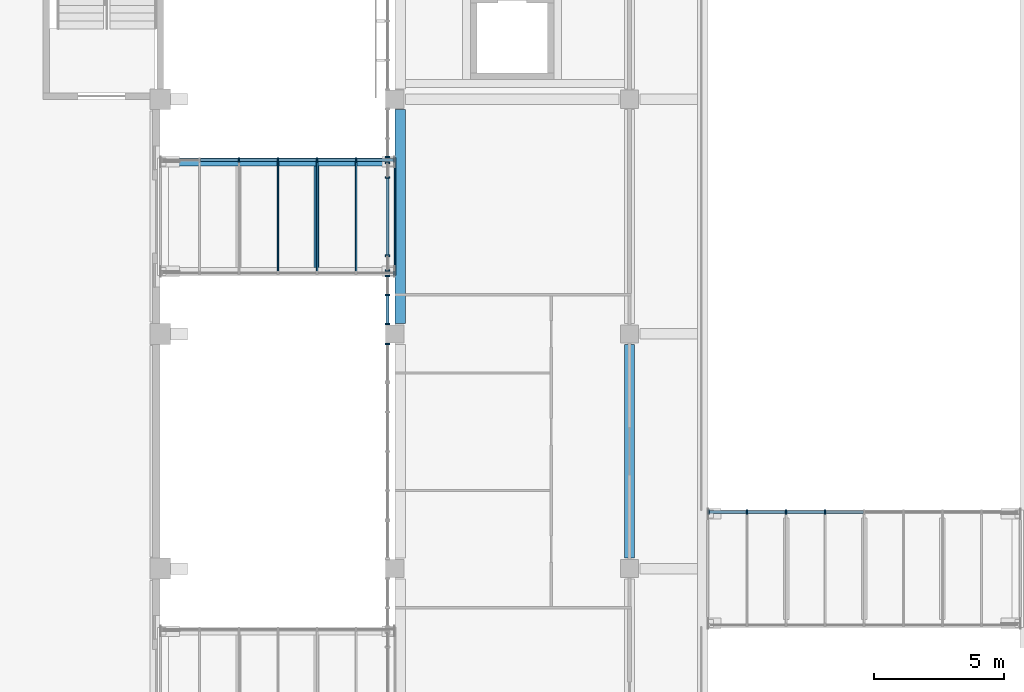
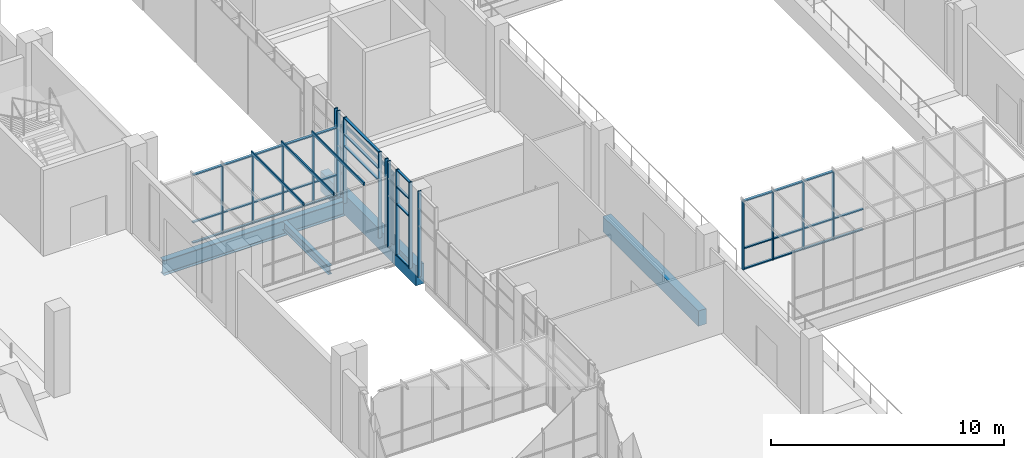
# One storey, part 17 of 106: 56 members, 4 beams, 8 elements without a shape of their own.
"""IFC4 building model written with IfcOpenShell, lengths in metres."""

from ifc_helpers import new_model, si_unit, direction, frame, origin, origin_2d, place, context, subcontext, project, spatial, rectangle, i_section, extrude, material, layer, layer_set, material_profile, profile_set, type_object, element, aggregate, save


model = new_model("IFC4")

# Units and contexts
model_context = context("Model", 3, precision=1e-05, world=origin(), true_north=direction((0.0, 1.0)))
body_context = subcontext(model_context, "Body", "Model", "MODEL_VIEW")
ifc_project = project(units=[si_unit("LENGTHUNIT", "METRE"), si_unit("AREAUNIT", "SQUARE_METRE"), si_unit("VOLUMEUNIT", "CUBIC_METRE"), si_unit("PLANEANGLEUNIT", "RADIAN"), si_unit("MASSUNIT", "GRAM", prefix="KILO")], contexts=[model_context])

# Site, building, storey
site_placement = place(None, origin())
site = spatial("IfcSite", under=ifc_project, at=site_placement, CompositionType="ELEMENT")
building_placement = place(site_placement, origin())
building = spatial("IfcBuilding", under=site, at=building_placement, Name="Guidao Yard Department Store", CompositionType="ELEMENT")
storey_placement = place(building_placement, frame((0.0, 0.0, 10.5)))
storey = spatial("IfcBuildingStorey", under=building, at=storey_placement, Name="L02", CompositionType="ELEMENT", Elevation=10.5)

# Beams
ifc_material_1 = material(Name="Concrete C40", Category="concrete")
ifc_material_profile_1 = material_profile(ifc_material_1, rectangle(XDim=0.39990234375, YDim=1.050048828125, at=origin_2d()), Name="Bridge landing beam 400 x 1050 C40")
ifc_profile_set_1 = profile_set([ifc_material_profile_1], Name="Concrete C40")
beam_type_1 = type_object("IfcBeamType", Name="Bridge landing beam 400 x 1050 C40", PredefinedType="BEAM", material=ifc_profile_set_1)
beam_1_placement = place(storey_placement, frame((72.199951171875, 72.39990234375, -0.52490234375), z_axis=(0.0, 1.0, 0.0), x_axis=(-1.0, 0.0, 0.0)))
element("IfcBeam", 1, at=beam_1_placement, inside=storey, type_object=beam_type_1, Name="Beam LB04", PredefinedType="BEAM", context=body_context, shape_type="SweptSolid", body=[
    extrude(rectangle(XDim=0.39990234375, YDim=1.050048828125, at=origin_2d()), origin(), (0.0, 0.0, 1.0), 8.2001953125),
])
ifc_material_2 = material(Name="Concrete C40", Category="concrete")
ifc_material_profile_2 = material_profile(ifc_material_2, rectangle(XDim=0.39990234375, YDim=0.800048828125, at=origin_2d()), Name="Edge beam 400 x 800 C40")
ifc_profile_set_2 = profile_set([ifc_material_profile_2], Name="Concrete C40")
beam_type_2 = type_object("IfcBeamType", Name="Edge beam 400 x 800 C40", PredefinedType="BEAM", material=ifc_profile_set_2)
beam_2_placement = place(storey_placement, frame((81.0, 63.39990234375, -0.39990234375), z_axis=(0.0, 1.0, 0.0), x_axis=(-1.0, 0.0, 0.0)))
element("IfcBeam", 2, at=beam_2_placement, inside=storey, type_object=beam_type_2, Name="Beam EB34", PredefinedType="BEAM", context=body_context, shape_type="SweptSolid", body=[
    extrude(rectangle(XDim=0.39990234375, YDim=0.800048828125, at=origin_2d()), origin(), (0.0, 0.0, 1.0), 8.2001953125),
])
ifc_material_3 = material(Name="Steel Q355B", Category="steel")
ifc_material_profile_3 = material_profile(ifc_material_3, i_section(OverallWidth=0.199951171875, OverallDepth=0.449951171875, WebThickness=0.009033203125, FlangeThickness=0.013916015625, FilletRadius=0.012939453125, at=origin_2d()), Name="HN 450x200x9x14")
ifc_profile_set_3 = profile_set([ifc_material_profile_3], Name="Steel Q355B")
beam_type_3 = type_object("IfcBeamType", Name="HN 450x200x9x14", PredefinedType="BEAM", material=ifc_profile_set_3)
beam_3_placement = place(storey_placement, frame((68.9951171875, 74.550048828125, -0.47509765625), z_axis=(0.0, 1.0, 0.0), x_axis=(-1.0, 0.0, 0.0)))
element("IfcBeam", 3, at=beam_3_placement, inside=storey, type_object=beam_type_3, Name="Bridge cross beam BR04-2", PredefinedType="BEAM", context=body_context, shape_type="SweptSolid", body=[
    extrude(i_section(OverallWidth=0.199951171875, OverallDepth=0.449951171875, WebThickness=0.009033203125, FlangeThickness=0.013916015625, FilletRadius=0.012939453125, at=origin_2d()), origin(), (0.0, 0.0, 1.0), 3.89990234375),
])
ifc_material_4 = material(Name="Steel Q355B", Category="steel")
ifc_material_profile_4 = material_profile(ifc_material_4, i_section(OverallWidth=0.300048828125, OverallDepth=0.800048828125, WebThickness=0.013916015625, FlangeThickness=0.02587890625, FilletRadius=0.01806640625, at=origin_2d()), Name="HN 800x300x14x26")
ifc_profile_set_4 = profile_set([ifc_material_profile_4], Name="Steel Q355B")
beam_type_4 = type_object("IfcBeamType", Name="HN 800x300x14x26", PredefinedType="BEAM", material=ifc_profile_set_4)
beam_4_placement = place(storey_placement, frame((63.014892578125, 78.60009765625, -0.64990234375), z_axis=(1.0, 0.0, 0.0), x_axis=(0.0, 1.0, 0.0)))
element("IfcBeam", 4, at=beam_4_placement, inside=storey, type_object=beam_type_4, Name="Bridge girder BR04N", PredefinedType="BEAM", context=body_context, shape_type="SweptSolid", body=[
    extrude(i_section(OverallWidth=0.300048828125, OverallDepth=0.800048828125, WebThickness=0.013916015625, FlangeThickness=0.02587890625, FilletRadius=0.01806640625, at=origin_2d()), origin(), (0.0, 0.0, 1.0), 8.97021484375),
])

# Curtain wall, member
ifc_material_5 = material(Name="Aluminium and glass", Category="aluminium")
ifc_layer_1 = layer(ifc_material_5, 0.159912109375)
ifc_layer_set_1 = layer_set([ifc_layer_1], Name="Shopfront curtain wall CW1 1500 module")
curtain_wall_type_1 = type_object("IfcCurtainWallType", Name="Shopfront curtain wall CW1 1500 module", PredefinedType="NOTDEFINED", material=ifc_layer_set_1)
curtain_wall_1_placement = place(storey_placement, origin())
curtain_wall_1 = element("IfcCurtainWall", 5, at=curtain_wall_1_placement, inside=storey, type_object=curtain_wall_type_1, Name="Arcade shop front", PredefinedType="NOTDEFINED")
ifc_material_6 = material(Name="Aluminium 6063-T5", Category="aluminium")
ifc_material_profile_5 = material_profile(ifc_material_6, rectangle(XDim=0.06005859375, YDim=0.159912109375, at=origin_2d()), Name="Mullion M1 60 x 160 aluminium pressure plate")
ifc_profile_set_5 = profile_set([ifc_material_profile_5], Name="Aluminium 6063-T5")
member_type_1 = type_object("IfcMemberType", Name="Mullion M1 60 x 160 aluminium pressure plate", PredefinedType="MULLION", material=ifc_profile_set_5)
member_1_placement = place(storey_placement, frame((71.719970703125, 71.6201171875, 0.0), z_axis=(0.0, 0.0, 1.0), x_axis=(0.0, 1.0, 0.0)))
member_1 = element("IfcMember", 6, at=member_1_placement, type_object=member_type_1, Name="CW-AS-L02-07 mullion 2", PredefinedType="MULLION", context=body_context, shape_type="SweptSolid", body=[
    extrude(rectangle(XDim=0.06005859375, YDim=0.159912109375, at=origin_2d()), origin(), (0.0, 0.0, 1.0), 4.5),
])
aggregate(curtain_wall_1, [member_1])

# Curtain wall, members
curtain_wall_2_placement = place(storey_placement, origin())
curtain_wall_2 = element("IfcCurtainWall", 7, at=curtain_wall_2_placement, inside=storey, type_object=curtain_wall_type_1, Name="Arcade shop front", PredefinedType="NOTDEFINED")
member_2_placement = place(storey_placement, frame((71.719970703125, 72.3798828125, 0.0), z_axis=(0.0, 0.0, 1.0), x_axis=(0.0, 1.0, 0.0)))
member_2 = element("IfcMember", 8, at=member_2_placement, type_object=member_type_1, Name="CW-AS-L02-08 mullion 1", PredefinedType="MULLION", context=body_context, shape_type="SweptSolid", body=[
    extrude(rectangle(XDim=0.06005859375, YDim=0.159912109375, at=origin_2d()), origin(), (0.0, 0.0, 1.0), 4.5),
])
member_3_placement = place(storey_placement, frame((71.719970703125, 73.5, 0.0), z_axis=(0.0, 0.0, 1.0), x_axis=(0.0, 1.0, 0.0)))
member_3 = element("IfcMember", 9, at=member_3_placement, type_object=member_type_1, Name="CW-AS-L02-08 mullion 2", PredefinedType="MULLION", context=body_context, shape_type="SweptSolid", body=[
    extrude(rectangle(XDim=0.06005859375, YDim=0.159912109375, at=origin_2d()), origin(), (0.0, 0.0, 1.0), 4.5),
])
member_4_placement = place(storey_placement, frame((71.719970703125, 74.219970703125, 0.0), z_axis=(0.0, 0.0, 1.0), x_axis=(0.0, 1.0, 0.0)))
member_4 = element("IfcMember", 10, at=member_4_placement, type_object=member_type_1, Name="CW-AS-L02-08 mullion 3", PredefinedType="MULLION", context=body_context, shape_type="SweptSolid", body=[
    extrude(rectangle(XDim=0.06005859375, YDim=0.159912109375, at=origin_2d()), origin(), (0.0, 0.0, 1.0), 4.5),
])

curtain_wall_3_placement = place(storey_placement, origin())
curtain_wall_3 = element("IfcCurtainWall", 11, at=curtain_wall_3_placement, inside=storey, type_object=curtain_wall_type_1, Name="Arcade shop front", PredefinedType="NOTDEFINED")
member_5_placement = place(storey_placement, frame((71.719970703125, 74.43994140625, 0.0), z_axis=(0.0, 0.0, 1.0), x_axis=(0.0, 1.0, 0.0)))
member_5 = element("IfcMember", 12, at=member_5_placement, type_object=member_type_1, Name="CW-AS-L02-09 mullion 1", PredefinedType="MULLION", context=body_context, shape_type="SweptSolid", body=[
    extrude(rectangle(XDim=0.06005859375, YDim=0.159912109375, at=origin_2d()), origin(), (0.0, 0.0, 1.0), 4.5),
])
member_6_placement = place(storey_placement, frame((71.719970703125, 75.0, 0.0), z_axis=(0.0, 0.0, 1.0), x_axis=(0.0, 1.0, 0.0)))
member_6 = element("IfcMember", 13, at=member_6_placement, type_object=member_type_1, Name="CW-AS-L02-09 mullion 2", PredefinedType="MULLION", context=body_context, shape_type="SweptSolid", body=[
    extrude(rectangle(XDim=0.06005859375, YDim=0.159912109375, at=origin_2d()), origin(), (0.0, 0.0, 1.0), 4.5),
])
member_7_placement = place(storey_placement, frame((71.719970703125, 78.0, 0.0), z_axis=(0.0, 0.0, 1.0), x_axis=(0.0, 1.0, 0.0)))
member_7 = element("IfcMember", 14, at=member_7_placement, type_object=member_type_1, Name="CW-AS-L02-09 mullion 3", PredefinedType="MULLION", context=body_context, shape_type="SweptSolid", body=[
    extrude(rectangle(XDim=0.06005859375, YDim=0.159912109375, at=origin_2d()), origin(), (0.0, 0.0, 1.0), 4.5),
])
member_8_placement = place(storey_placement, frame((71.719970703125, 78.56005859375, 0.0), z_axis=(0.0, 0.0, 1.0), x_axis=(0.0, 1.0, 0.0)))
member_8 = element("IfcMember", 15, at=member_8_placement, type_object=member_type_1, Name="CW-AS-L02-09 mullion 4", PredefinedType="MULLION", context=body_context, shape_type="SweptSolid", body=[
    extrude(rectangle(XDim=0.06005859375, YDim=0.159912109375, at=origin_2d()), origin(), (0.0, 0.0, 1.0), 4.5),
])

# Curtain wall, member
curtain_wall_4_placement = place(storey_placement, origin())
curtain_wall_4 = element("IfcCurtainWall", 16, at=curtain_wall_4_placement, inside=storey, type_object=curtain_wall_type_1, Name="Arcade shop front", PredefinedType="NOTDEFINED")
member_9_placement = place(storey_placement, frame((71.719970703125, 78.780029296875, 0.0), z_axis=(0.0, 0.0, 1.0), x_axis=(0.0, 1.0, 0.0)))
member_9 = element("IfcMember", 17, at=member_9_placement, type_object=member_type_1, Name="CW-AS-L02-10 mullion 1", PredefinedType="MULLION", context=body_context, shape_type="SweptSolid", body=[
    extrude(rectangle(XDim=0.06005859375, YDim=0.159912109375, at=origin_2d()), origin(), (0.0, 0.0, 1.0), 4.5),
])
aggregate(curtain_wall_4, [member_9])

ifc_material_7 = material(Name="Aluminium and glass", Category="aluminium")
ifc_layer_2 = layer(ifc_material_7, 0.159912109375)
ifc_layer_set_2 = layer_set([ifc_layer_2], Name="Bridge glazing CW5 1500 module")
curtain_wall_type_2 = type_object("IfcCurtainWallType", Name="Bridge glazing CW5 1500 module", PredefinedType="NOTDEFINED", material=ifc_layer_set_2)
curtain_wall_5_placement = place(storey_placement, origin())
curtain_wall_5 = element("IfcCurtainWall", 18, at=curtain_wall_5_placement, inside=storey, type_object=curtain_wall_type_2, Name="Bridge glazing BR04 S", PredefinedType="NOTDEFINED")
member_10_placement = place(storey_placement, frame((71.969970703125, 74.330078125, 0.0), z_axis=(0.0, 0.0, 1.0), x_axis=(-1.0, 0.0, 0.0)))
member_10 = element("IfcMember", 19, at=member_10_placement, type_object=member_type_1, Name="CW-S-L02-03 mullion 7", PredefinedType="MULLION", context=body_context, shape_type="SweptSolid", body=[
    extrude(rectangle(XDim=0.06005859375, YDim=0.159912109375, at=origin_2d()), origin(), (0.0, 0.0, 1.0), 3.60009765625),
])
aggregate(curtain_wall_5, [member_10])

# Curtain wall, members
curtain_wall_6_placement = place(storey_placement, origin())
curtain_wall_6 = element("IfcCurtainWall", 20, at=curtain_wall_6_placement, inside=storey, type_object=curtain_wall_type_2, Name="Bridge glazing BR04 N", PredefinedType="NOTDEFINED")
member_11_placement = place(storey_placement, frame((66.014892578125, 78.669921875, 0.0), z_axis=(0.0, 0.0, 1.0), x_axis=(1.0, 0.0, 0.0)))
member_11 = element("IfcMember", 21, at=member_11_placement, type_object=member_type_1, Name="CW-N-L02-04 mullion 3", PredefinedType="MULLION", context=body_context, shape_type="SweptSolid", body=[
    extrude(rectangle(XDim=0.06005859375, YDim=0.159912109375, at=origin_2d()), origin(), (0.0, 0.0, 1.0), 3.60009765625),
])
member_12_placement = place(storey_placement, frame((67.514892578125, 78.669921875, 0.0), z_axis=(0.0, 0.0, 1.0), x_axis=(1.0, 0.0, 0.0)))
member_12 = element("IfcMember", 22, at=member_12_placement, type_object=member_type_1, Name="CW-N-L02-04 mullion 4", PredefinedType="MULLION", context=body_context, shape_type="SweptSolid", body=[
    extrude(rectangle(XDim=0.06005859375, YDim=0.159912109375, at=origin_2d()), origin(), (0.0, 0.0, 1.0), 3.60009765625),
])
member_13_placement = place(storey_placement, frame((69.014892578125, 78.669921875, 0.0), z_axis=(0.0, 0.0, 1.0), x_axis=(1.0, 0.0, 0.0)))
member_13 = element("IfcMember", 23, at=member_13_placement, type_object=member_type_1, Name="CW-N-L02-04 mullion 5", PredefinedType="MULLION", context=body_context, shape_type="SweptSolid", body=[
    extrude(rectangle(XDim=0.06005859375, YDim=0.159912109375, at=origin_2d()), origin(), (0.0, 0.0, 1.0), 3.60009765625),
])
member_14_placement = place(storey_placement, frame((70.514892578125, 78.669921875, 0.0), z_axis=(0.0, 0.0, 1.0), x_axis=(1.0, 0.0, 0.0)))
member_14 = element("IfcMember", 24, at=member_14_placement, type_object=member_type_1, Name="CW-N-L02-04 mullion 6", PredefinedType="MULLION", context=body_context, shape_type="SweptSolid", body=[
    extrude(rectangle(XDim=0.06005859375, YDim=0.159912109375, at=origin_2d()), origin(), (0.0, 0.0, 1.0), 3.60009765625),
])
member_15_placement = place(storey_placement, frame((71.969970703125, 78.669921875, 0.0), z_axis=(0.0, 0.0, 1.0), x_axis=(1.0, 0.0, 0.0)))
member_15 = element("IfcMember", 25, at=member_15_placement, type_object=member_type_1, Name="CW-N-L02-04 mullion 7", PredefinedType="MULLION", context=body_context, shape_type="SweptSolid", body=[
    extrude(rectangle(XDim=0.06005859375, YDim=0.159912109375, at=origin_2d()), origin(), (0.0, 0.0, 1.0), 3.60009765625),
])

curtain_wall_7_placement = place(storey_placement, origin())
curtain_wall_7 = element("IfcCurtainWall", 26, at=curtain_wall_7_placement, inside=storey, type_object=curtain_wall_type_2, Name="Bridge glazing BR11 N", PredefinedType="NOTDEFINED")
member_16_placement = place(storey_placement, frame((84.030029296875, 65.169921875, 0.0), z_axis=(0.0, 0.0, 1.0), x_axis=(1.0, 0.0, 0.0)))
member_16 = element("IfcMember", 27, at=member_16_placement, type_object=member_type_1, Name="CW-N-L02-09 mullion 1", PredefinedType="MULLION", context=body_context, shape_type="SweptSolid", body=[
    extrude(rectangle(XDim=0.06005859375, YDim=0.159912109375, at=origin_2d()), origin(), (0.0, 0.0, 1.0), 3.60009765625),
])
member_17_placement = place(storey_placement, frame((85.5, 65.169921875, 0.0), z_axis=(0.0, 0.0, 1.0), x_axis=(1.0, 0.0, 0.0)))
member_17 = element("IfcMember", 28, at=member_17_placement, type_object=member_type_1, Name="CW-N-L02-09 mullion 2", PredefinedType="MULLION", context=body_context, shape_type="SweptSolid", body=[
    extrude(rectangle(XDim=0.06005859375, YDim=0.159912109375, at=origin_2d()), origin(), (0.0, 0.0, 1.0), 3.60009765625),
])
member_18_placement = place(storey_placement, frame((87.0, 65.169921875, 0.0), z_axis=(0.0, 0.0, 1.0), x_axis=(1.0, 0.0, 0.0)))
member_18 = element("IfcMember", 29, at=member_18_placement, type_object=member_type_1, Name="CW-N-L02-09 mullion 3", PredefinedType="MULLION", context=body_context, shape_type="SweptSolid", body=[
    extrude(rectangle(XDim=0.06005859375, YDim=0.159912109375, at=origin_2d()), origin(), (0.0, 0.0, 1.0), 3.60009765625),
])
member_19_placement = place(storey_placement, frame((88.5, 65.169921875, 0.0), z_axis=(0.0, 0.0, 1.0), x_axis=(1.0, 0.0, 0.0)))
member_19 = element("IfcMember", 30, at=member_19_placement, type_object=member_type_1, Name="CW-N-L02-09 mullion 4", PredefinedType="MULLION", context=body_context, shape_type="SweptSolid", body=[
    extrude(rectangle(XDim=0.06005859375, YDim=0.159912109375, at=origin_2d()), origin(), (0.0, 0.0, 1.0), 3.60009765625),
])

curtain_wall_8_placement = place(storey_placement, origin())
curtain_wall_8 = element("IfcCurtainWall", 31, at=curtain_wall_8_placement, inside=storey, type_object=curtain_wall_type_2, Name="Bridge roof glazing BR04", PredefinedType="NOTDEFINED")
ifc_material_8 = material(Name="Aluminium 6063-T5", Category="aluminium")
ifc_material_profile_6 = material_profile(ifc_material_8, rectangle(XDim=0.06005859375, YDim=0.159912109375, at=origin_2d()), Name="Roof bar RB1 60 x 160 aluminium")
ifc_profile_set_6 = profile_set([ifc_material_profile_6], Name="Aluminium 6063-T5")
member_type_2 = type_object("IfcMemberType", Name="Roof bar RB1 60 x 160 aluminium", PredefinedType="USERDEFINED", material=ifc_profile_set_6)
member_20_placement = place(storey_placement, frame((67.514892578125, 74.25, 3.679931640625), z_axis=(0.0, 1.0, 0.0), x_axis=(-1.0, 0.0, 0.0)))
member_20 = element("IfcMember", 32, at=member_20_placement, type_object=member_type_2, Name="Bridge roof bar BR04", ObjectType="TRANSOM", PredefinedType="USERDEFINED", context=body_context, shape_type="SweptSolid", body=[
    extrude(rectangle(XDim=0.06005859375, YDim=0.159912109375, at=origin_2d()), origin(), (0.0, 0.0, 1.0), 4.5),
])
member_21_placement = place(storey_placement, frame((69.014892578125, 74.25, 3.679931640625), z_axis=(0.0, 1.0, 0.0), x_axis=(-1.0, 0.0, 0.0)))
member_21 = element("IfcMember", 33, at=member_21_placement, type_object=member_type_2, Name="Bridge roof bar BR04", ObjectType="TRANSOM", PredefinedType="USERDEFINED", context=body_context, shape_type="SweptSolid", body=[
    extrude(rectangle(XDim=0.06005859375, YDim=0.159912109375, at=origin_2d()), origin(), (0.0, 0.0, 1.0), 4.5),
])
member_22_placement = place(storey_placement, frame((70.514892578125, 74.25, 3.679931640625), z_axis=(0.0, 1.0, 0.0), x_axis=(-1.0, 0.0, 0.0)))
member_22 = element("IfcMember", 34, at=member_22_placement, type_object=member_type_2, Name="Bridge roof bar BR04", ObjectType="TRANSOM", PredefinedType="USERDEFINED", context=body_context, shape_type="SweptSolid", body=[
    extrude(rectangle(XDim=0.06005859375, YDim=0.159912109375, at=origin_2d()), origin(), (0.0, 0.0, 1.0), 4.5),
])
member_23_placement = place(storey_placement, frame((72.0, 74.25, 3.679931640625), z_axis=(0.0, 1.0, 0.0), x_axis=(-1.0, 0.0, 0.0)))
member_23 = element("IfcMember", 35, at=member_23_placement, type_object=member_type_2, Name="Bridge roof bar BR04", ObjectType="TRANSOM", PredefinedType="USERDEFINED", context=body_context, shape_type="SweptSolid", body=[
    extrude(rectangle(XDim=0.06005859375, YDim=0.159912109375, at=origin_2d()), origin(), (0.0, 0.0, 1.0), 4.5),
])
aggregate(curtain_wall_8, [member_20, member_21, member_22, member_23])

# Member
ifc_material_9 = material(Name="Aluminium 6063-T5", Category="aluminium")
ifc_material_profile_7 = material_profile(ifc_material_9, rectangle(XDim=0.1201171875, YDim=0.06005859375, at=origin_2d()), Name="Transom T1 60 x 120 aluminium pressure plate")
ifc_profile_set_7 = profile_set([ifc_material_profile_7], Name="Aluminium 6063-T5")
member_type_3 = type_object("IfcMemberType", Name="Transom T1 60 x 120 aluminium pressure plate", PredefinedType="USERDEFINED", material=ifc_profile_set_7)
member_24_placement = place(storey_placement, frame((71.719970703125, 72.409912109375, 0.030029296875), z_axis=(0.0, 1.0, 0.0), x_axis=(-1.0, 0.0, 0.0)))
member_24 = element("IfcMember", 36, at=member_24_placement, type_object=member_type_3, Name="CW-AS-L02-08 transom 1.1", ObjectType="TRANSOM", PredefinedType="USERDEFINED", context=body_context, shape_type="SweptSolid", body=[
    extrude(rectangle(XDim=0.1201171875, YDim=0.06005859375, at=origin_2d()), origin(), (0.0, 0.0, 1.0), 1.06005859375),
])

member_25_placement = place(storey_placement, frame((71.719970703125, 72.409912109375, 2.699951171875), z_axis=(0.0, 1.0, 0.0), x_axis=(-1.0, 0.0, 0.0)))
member_25 = element("IfcMember", 37, at=member_25_placement, type_object=member_type_3, Name="CW-AS-L02-08 transom 1.2", ObjectType="TRANSOM", PredefinedType="USERDEFINED", context=body_context, shape_type="SweptSolid", body=[
    extrude(rectangle(XDim=0.1201171875, YDim=0.06005859375, at=origin_2d()), origin(), (0.0, 0.0, 1.0), 1.06005859375),
])

member_26_placement = place(storey_placement, frame((71.719970703125, 72.409912109375, 3.60009765625), z_axis=(0.0, 1.0, 0.0), x_axis=(-1.0, 0.0, 0.0)))
member_26 = element("IfcMember", 38, at=member_26_placement, type_object=member_type_3, Name="CW-AS-L02-08 transom 1.3", ObjectType="TRANSOM", PredefinedType="USERDEFINED", context=body_context, shape_type="SweptSolid", body=[
    extrude(rectangle(XDim=0.1201171875, YDim=0.06005859375, at=origin_2d()), origin(), (0.0, 0.0, 1.0), 1.06005859375),
])

member_27_placement = place(storey_placement, frame((71.719970703125, 72.409912109375, 4.469970703125), z_axis=(0.0, 1.0, 0.0), x_axis=(-1.0, 0.0, 0.0)))
member_27 = element("IfcMember", 39, at=member_27_placement, type_object=member_type_3, Name="CW-AS-L02-08 transom 1.4", ObjectType="TRANSOM", PredefinedType="USERDEFINED", context=body_context, shape_type="SweptSolid", body=[
    extrude(rectangle(XDim=0.1201171875, YDim=0.06005859375, at=origin_2d()), origin(), (0.0, 0.0, 1.0), 1.06005859375),
])

aggregate(curtain_wall_2, [member_2, member_3, member_4, member_24, member_25, member_26, member_27])

member_28_placement = place(storey_placement, frame((71.719970703125, 75.030029296875, 3.0), z_axis=(0.0, 1.0, 0.0), x_axis=(-1.0, 0.0, 0.0)))
member_28 = element("IfcMember", 40, at=member_28_placement, type_object=member_type_3, Name="CW-AS-L02-09 transom 2.2", ObjectType="TRANSOM", PredefinedType="USERDEFINED", context=body_context, shape_type="SweptSolid", body=[
    extrude(rectangle(XDim=0.1201171875, YDim=0.06005859375, at=origin_2d()), origin(), (0.0, 0.0, 1.0), 2.93994140625),
])

member_29_placement = place(storey_placement, frame((71.719970703125, 75.030029296875, 3.60009765625), z_axis=(0.0, 1.0, 0.0), x_axis=(-1.0, 0.0, 0.0)))
member_29 = element("IfcMember", 41, at=member_29_placement, type_object=member_type_3, Name="CW-AS-L02-09 transom 2.3", ObjectType="TRANSOM", PredefinedType="USERDEFINED", context=body_context, shape_type="SweptSolid", body=[
    extrude(rectangle(XDim=0.1201171875, YDim=0.06005859375, at=origin_2d()), origin(), (0.0, 0.0, 1.0), 2.93994140625),
])

member_30_placement = place(storey_placement, frame((71.719970703125, 75.030029296875, 4.469970703125), z_axis=(0.0, 1.0, 0.0), x_axis=(-1.0, 0.0, 0.0)))
member_30 = element("IfcMember", 42, at=member_30_placement, type_object=member_type_3, Name="CW-AS-L02-09 transom 2.4", ObjectType="TRANSOM", PredefinedType="USERDEFINED", context=body_context, shape_type="SweptSolid", body=[
    extrude(rectangle(XDim=0.1201171875, YDim=0.06005859375, at=origin_2d()), origin(), (0.0, 0.0, 1.0), 2.93994140625),
])

aggregate(curtain_wall_3, [member_5, member_6, member_7, member_8, member_28, member_29, member_30])

member_31_placement = place(storey_placement, frame((64.544921875, 78.669921875, 0.030029296875), z_axis=(1.0, 0.0, 0.0), x_axis=(0.0, 1.0, 0.0)))
member_31 = element("IfcMember", 43, at=member_31_placement, type_object=member_type_3, Name="CW-N-L02-04 transom 2.1", ObjectType="TRANSOM", PredefinedType="USERDEFINED", context=body_context, shape_type="SweptSolid", body=[
    extrude(rectangle(XDim=0.1201171875, YDim=0.06005859375, at=origin_2d()), origin(), (0.0, 0.0, 1.0), 1.440185546875),
])

member_32_placement = place(storey_placement, frame((64.544921875, 78.669921875, 1.10009765625), z_axis=(1.0, 0.0, 0.0), x_axis=(0.0, 1.0, 0.0)))
member_32 = element("IfcMember", 44, at=member_32_placement, type_object=member_type_3, Name="CW-N-L02-04 transom 2.2", ObjectType="TRANSOM", PredefinedType="USERDEFINED", context=body_context, shape_type="SweptSolid", body=[
    extrude(rectangle(XDim=0.1201171875, YDim=0.06005859375, at=origin_2d()), origin(), (0.0, 0.0, 1.0), 1.440185546875),
])

member_33_placement = place(storey_placement, frame((64.544921875, 78.669921875, 3.570068359375), z_axis=(1.0, 0.0, 0.0), x_axis=(0.0, 1.0, 0.0)))
member_33 = element("IfcMember", 45, at=member_33_placement, type_object=member_type_3, Name="CW-N-L02-04 transom 2.3", ObjectType="TRANSOM", PredefinedType="USERDEFINED", context=body_context, shape_type="SweptSolid", body=[
    extrude(rectangle(XDim=0.1201171875, YDim=0.06005859375, at=origin_2d()), origin(), (0.0, 0.0, 1.0), 1.440185546875),
])

member_34_placement = place(storey_placement, frame((66.044921875, 78.669921875, 0.030029296875), z_axis=(1.0, 0.0, 0.0), x_axis=(0.0, 1.0, 0.0)))
member_34 = element("IfcMember", 46, at=member_34_placement, type_object=member_type_3, Name="CW-N-L02-04 transom 3.1", ObjectType="TRANSOM", PredefinedType="USERDEFINED", context=body_context, shape_type="SweptSolid", body=[
    extrude(rectangle(XDim=0.1201171875, YDim=0.06005859375, at=origin_2d()), origin(), (0.0, 0.0, 1.0), 1.440185546875),
])

member_35_placement = place(storey_placement, frame((66.044921875, 78.669921875, 1.10009765625), z_axis=(1.0, 0.0, 0.0), x_axis=(0.0, 1.0, 0.0)))
member_35 = element("IfcMember", 47, at=member_35_placement, type_object=member_type_3, Name="CW-N-L02-04 transom 3.2", ObjectType="TRANSOM", PredefinedType="USERDEFINED", context=body_context, shape_type="SweptSolid", body=[
    extrude(rectangle(XDim=0.1201171875, YDim=0.06005859375, at=origin_2d()), origin(), (0.0, 0.0, 1.0), 1.440185546875),
])

member_36_placement = place(storey_placement, frame((66.044921875, 78.669921875, 3.570068359375), z_axis=(1.0, 0.0, 0.0), x_axis=(0.0, 1.0, 0.0)))
member_36 = element("IfcMember", 48, at=member_36_placement, type_object=member_type_3, Name="CW-N-L02-04 transom 3.3", ObjectType="TRANSOM", PredefinedType="USERDEFINED", context=body_context, shape_type="SweptSolid", body=[
    extrude(rectangle(XDim=0.1201171875, YDim=0.06005859375, at=origin_2d()), origin(), (0.0, 0.0, 1.0), 1.440185546875),
])

member_37_placement = place(storey_placement, frame((67.544921875, 78.669921875, 0.030029296875), z_axis=(1.0, 0.0, 0.0), x_axis=(0.0, 1.0, 0.0)))
member_37 = element("IfcMember", 49, at=member_37_placement, type_object=member_type_3, Name="CW-N-L02-04 transom 4.1", ObjectType="TRANSOM", PredefinedType="USERDEFINED", context=body_context, shape_type="SweptSolid", body=[
    extrude(rectangle(XDim=0.1201171875, YDim=0.06005859375, at=origin_2d()), origin(), (0.0, 0.0, 1.0), 1.440185546875),
])

member_38_placement = place(storey_placement, frame((67.544921875, 78.669921875, 1.10009765625), z_axis=(1.0, 0.0, 0.0), x_axis=(0.0, 1.0, 0.0)))
member_38 = element("IfcMember", 50, at=member_38_placement, type_object=member_type_3, Name="CW-N-L02-04 transom 4.2", ObjectType="TRANSOM", PredefinedType="USERDEFINED", context=body_context, shape_type="SweptSolid", body=[
    extrude(rectangle(XDim=0.1201171875, YDim=0.06005859375, at=origin_2d()), origin(), (0.0, 0.0, 1.0), 1.440185546875),
])

member_39_placement = place(storey_placement, frame((67.544921875, 78.669921875, 3.570068359375), z_axis=(1.0, 0.0, 0.0), x_axis=(0.0, 1.0, 0.0)))
member_39 = element("IfcMember", 51, at=member_39_placement, type_object=member_type_3, Name="CW-N-L02-04 transom 4.3", ObjectType="TRANSOM", PredefinedType="USERDEFINED", context=body_context, shape_type="SweptSolid", body=[
    extrude(rectangle(XDim=0.1201171875, YDim=0.06005859375, at=origin_2d()), origin(), (0.0, 0.0, 1.0), 1.440185546875),
])

member_40_placement = place(storey_placement, frame((69.044921875, 78.669921875, 0.030029296875), z_axis=(1.0, 0.0, 0.0), x_axis=(0.0, 1.0, 0.0)))
member_40 = element("IfcMember", 52, at=member_40_placement, type_object=member_type_3, Name="CW-N-L02-04 transom 5.1", ObjectType="TRANSOM", PredefinedType="USERDEFINED", context=body_context, shape_type="SweptSolid", body=[
    extrude(rectangle(XDim=0.1201171875, YDim=0.06005859375, at=origin_2d()), origin(), (0.0, 0.0, 1.0), 1.440185546875),
])

member_41_placement = place(storey_placement, frame((69.044921875, 78.669921875, 1.10009765625), z_axis=(1.0, 0.0, 0.0), x_axis=(0.0, 1.0, 0.0)))
member_41 = element("IfcMember", 53, at=member_41_placement, type_object=member_type_3, Name="CW-N-L02-04 transom 5.2", ObjectType="TRANSOM", PredefinedType="USERDEFINED", context=body_context, shape_type="SweptSolid", body=[
    extrude(rectangle(XDim=0.1201171875, YDim=0.06005859375, at=origin_2d()), origin(), (0.0, 0.0, 1.0), 1.440185546875),
])

member_42_placement = place(storey_placement, frame((69.044921875, 78.669921875, 3.570068359375), z_axis=(1.0, 0.0, 0.0), x_axis=(0.0, 1.0, 0.0)))
member_42 = element("IfcMember", 54, at=member_42_placement, type_object=member_type_3, Name="CW-N-L02-04 transom 5.3", ObjectType="TRANSOM", PredefinedType="USERDEFINED", context=body_context, shape_type="SweptSolid", body=[
    extrude(rectangle(XDim=0.1201171875, YDim=0.06005859375, at=origin_2d()), origin(), (0.0, 0.0, 1.0), 1.440185546875),
])

member_43_placement = place(storey_placement, frame((70.544921875, 78.669921875, 0.030029296875), z_axis=(1.0, 0.0, 0.0), x_axis=(0.0, 1.0, 0.0)))
member_43 = element("IfcMember", 55, at=member_43_placement, type_object=member_type_3, Name="CW-N-L02-04 transom 6.1", ObjectType="TRANSOM", PredefinedType="USERDEFINED", context=body_context, shape_type="SweptSolid", body=[
    extrude(rectangle(XDim=0.1201171875, YDim=0.06005859375, at=origin_2d()), origin(), (0.0, 0.0, 1.0), 1.39501953125),
])

member_44_placement = place(storey_placement, frame((70.544921875, 78.669921875, 1.10009765625), z_axis=(1.0, 0.0, 0.0), x_axis=(0.0, 1.0, 0.0)))
member_44 = element("IfcMember", 56, at=member_44_placement, type_object=member_type_3, Name="CW-N-L02-04 transom 6.2", ObjectType="TRANSOM", PredefinedType="USERDEFINED", context=body_context, shape_type="SweptSolid", body=[
    extrude(rectangle(XDim=0.1201171875, YDim=0.06005859375, at=origin_2d()), origin(), (0.0, 0.0, 1.0), 1.39501953125),
])

member_45_placement = place(storey_placement, frame((70.544921875, 78.669921875, 3.570068359375), z_axis=(1.0, 0.0, 0.0), x_axis=(0.0, 1.0, 0.0)))
member_45 = element("IfcMember", 57, at=member_45_placement, type_object=member_type_3, Name="CW-N-L02-04 transom 6.3", ObjectType="TRANSOM", PredefinedType="USERDEFINED", context=body_context, shape_type="SweptSolid", body=[
    extrude(rectangle(XDim=0.1201171875, YDim=0.06005859375, at=origin_2d()), origin(), (0.0, 0.0, 1.0), 1.39501953125),
])

aggregate(curtain_wall_6, [member_11, member_12, member_13, member_14, member_15, member_31, member_32, member_33, member_34, member_35, member_36, member_37, member_38, member_39, member_40, member_41, member_42, member_43, member_44, member_45])

member_46_placement = place(storey_placement, frame((84.06005859375, 65.169921875, 0.030029296875), z_axis=(1.0, 0.0, 0.0), x_axis=(0.0, 1.0, 0.0)))
member_46 = element("IfcMember", 58, at=member_46_placement, type_object=member_type_3, Name="CW-N-L02-09 transom 1.1", ObjectType="TRANSOM", PredefinedType="USERDEFINED", context=body_context, shape_type="SweptSolid", body=[
    extrude(rectangle(XDim=0.1201171875, YDim=0.06005859375, at=origin_2d()), origin(), (0.0, 0.0, 1.0), 1.409912109375),
])

member_47_placement = place(storey_placement, frame((84.06005859375, 65.169921875, 1.10009765625), z_axis=(1.0, 0.0, 0.0), x_axis=(0.0, 1.0, 0.0)))
member_47 = element("IfcMember", 59, at=member_47_placement, type_object=member_type_3, Name="CW-N-L02-09 transom 1.2", ObjectType="TRANSOM", PredefinedType="USERDEFINED", context=body_context, shape_type="SweptSolid", body=[
    extrude(rectangle(XDim=0.1201171875, YDim=0.06005859375, at=origin_2d()), origin(), (0.0, 0.0, 1.0), 1.409912109375),
])

member_48_placement = place(storey_placement, frame((84.06005859375, 65.169921875, 3.570068359375), z_axis=(1.0, 0.0, 0.0), x_axis=(0.0, 1.0, 0.0)))
member_48 = element("IfcMember", 60, at=member_48_placement, type_object=member_type_3, Name="CW-N-L02-09 transom 1.3", ObjectType="TRANSOM", PredefinedType="USERDEFINED", context=body_context, shape_type="SweptSolid", body=[
    extrude(rectangle(XDim=0.1201171875, YDim=0.06005859375, at=origin_2d()), origin(), (0.0, 0.0, 1.0), 1.409912109375),
])

member_49_placement = place(storey_placement, frame((85.530029296875, 65.169921875, 0.030029296875), z_axis=(1.0, 0.0, 0.0), x_axis=(0.0, 1.0, 0.0)))
member_49 = element("IfcMember", 61, at=member_49_placement, type_object=member_type_3, Name="CW-N-L02-09 transom 2.1", ObjectType="TRANSOM", PredefinedType="USERDEFINED", context=body_context, shape_type="SweptSolid", body=[
    extrude(rectangle(XDim=0.1201171875, YDim=0.06005859375, at=origin_2d()), origin(), (0.0, 0.0, 1.0), 1.43994140625),
])

member_50_placement = place(storey_placement, frame((85.530029296875, 65.169921875, 1.10009765625), z_axis=(1.0, 0.0, 0.0), x_axis=(0.0, 1.0, 0.0)))
member_50 = element("IfcMember", 62, at=member_50_placement, type_object=member_type_3, Name="CW-N-L02-09 transom 2.2", ObjectType="TRANSOM", PredefinedType="USERDEFINED", context=body_context, shape_type="SweptSolid", body=[
    extrude(rectangle(XDim=0.1201171875, YDim=0.06005859375, at=origin_2d()), origin(), (0.0, 0.0, 1.0), 1.43994140625),
])

member_51_placement = place(storey_placement, frame((85.530029296875, 65.169921875, 3.570068359375), z_axis=(1.0, 0.0, 0.0), x_axis=(0.0, 1.0, 0.0)))
member_51 = element("IfcMember", 63, at=member_51_placement, type_object=member_type_3, Name="CW-N-L02-09 transom 2.3", ObjectType="TRANSOM", PredefinedType="USERDEFINED", context=body_context, shape_type="SweptSolid", body=[
    extrude(rectangle(XDim=0.1201171875, YDim=0.06005859375, at=origin_2d()), origin(), (0.0, 0.0, 1.0), 1.43994140625),
])

member_52_placement = place(storey_placement, frame((87.030029296875, 65.169921875, 0.030029296875), z_axis=(1.0, 0.0, 0.0), x_axis=(0.0, 1.0, 0.0)))
member_52 = element("IfcMember", 64, at=member_52_placement, type_object=member_type_3, Name="CW-N-L02-09 transom 3.1", ObjectType="TRANSOM", PredefinedType="USERDEFINED", context=body_context, shape_type="SweptSolid", body=[
    extrude(rectangle(XDim=0.1201171875, YDim=0.06005859375, at=origin_2d()), origin(), (0.0, 0.0, 1.0), 1.43994140625),
])

member_53_placement = place(storey_placement, frame((87.030029296875, 65.169921875, 1.10009765625), z_axis=(1.0, 0.0, 0.0), x_axis=(0.0, 1.0, 0.0)))
member_53 = element("IfcMember", 65, at=member_53_placement, type_object=member_type_3, Name="CW-N-L02-09 transom 3.2", ObjectType="TRANSOM", PredefinedType="USERDEFINED", context=body_context, shape_type="SweptSolid", body=[
    extrude(rectangle(XDim=0.1201171875, YDim=0.06005859375, at=origin_2d()), origin(), (0.0, 0.0, 1.0), 1.43994140625),
])

member_54_placement = place(storey_placement, frame((87.030029296875, 65.169921875, 3.570068359375), z_axis=(1.0, 0.0, 0.0), x_axis=(0.0, 1.0, 0.0)))
member_54 = element("IfcMember", 66, at=member_54_placement, type_object=member_type_3, Name="CW-N-L02-09 transom 3.3", ObjectType="TRANSOM", PredefinedType="USERDEFINED", context=body_context, shape_type="SweptSolid", body=[
    extrude(rectangle(XDim=0.1201171875, YDim=0.06005859375, at=origin_2d()), origin(), (0.0, 0.0, 1.0), 1.43994140625),
])

member_55_placement = place(storey_placement, frame((88.530029296875, 65.169921875, 0.030029296875), z_axis=(1.0, 0.0, 0.0), x_axis=(0.0, 1.0, 0.0)))
member_55 = element("IfcMember", 67, at=member_55_placement, type_object=member_type_3, Name="CW-N-L02-09 transom 4.1", ObjectType="TRANSOM", PredefinedType="USERDEFINED", context=body_context, shape_type="SweptSolid", body=[
    extrude(rectangle(XDim=0.1201171875, YDim=0.06005859375, at=origin_2d()), origin(), (0.0, 0.0, 1.0), 1.43994140625),
])

member_56_placement = place(storey_placement, frame((88.530029296875, 65.169921875, 1.10009765625), z_axis=(1.0, 0.0, 0.0), x_axis=(0.0, 1.0, 0.0)))
member_56 = element("IfcMember", 68, at=member_56_placement, type_object=member_type_3, Name="CW-N-L02-09 transom 4.2", ObjectType="TRANSOM", PredefinedType="USERDEFINED", context=body_context, shape_type="SweptSolid", body=[
    extrude(rectangle(XDim=0.1201171875, YDim=0.06005859375, at=origin_2d()), origin(), (0.0, 0.0, 1.0), 1.43994140625),
])

aggregate(curtain_wall_7, [member_16, member_17, member_18, member_19, member_46, member_47, member_48, member_49, member_50, member_51, member_52, member_53, member_54, member_55, member_56])

save(model, "model.ifc")
